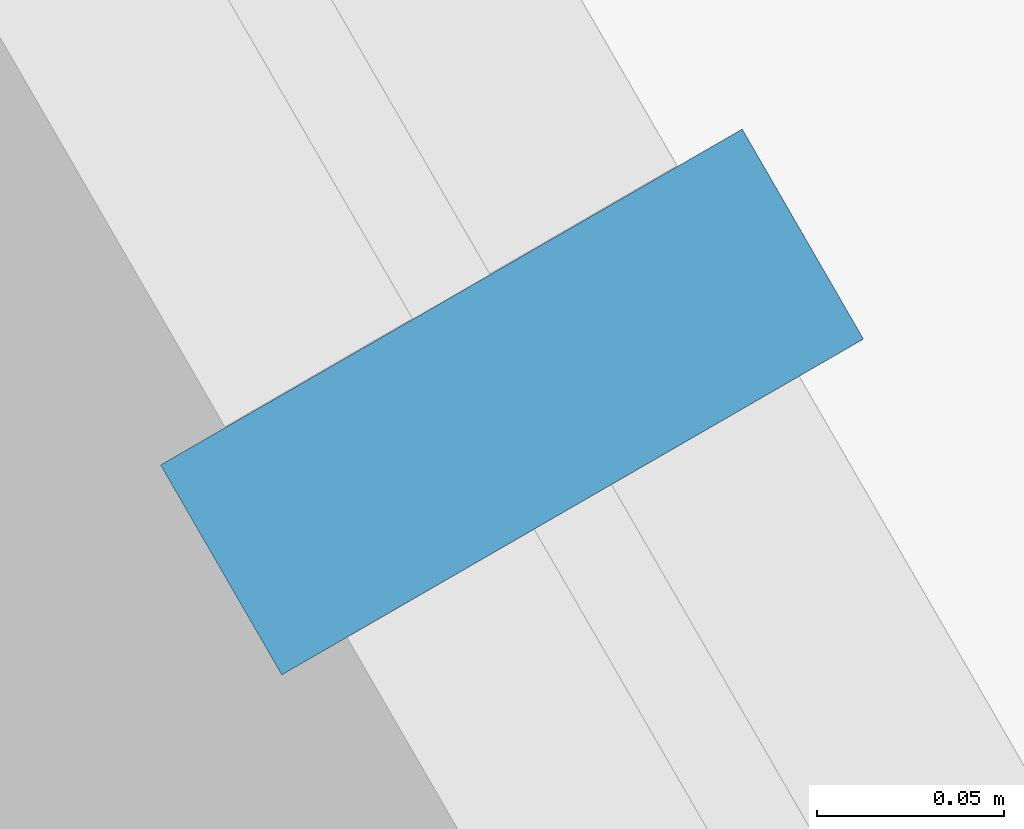
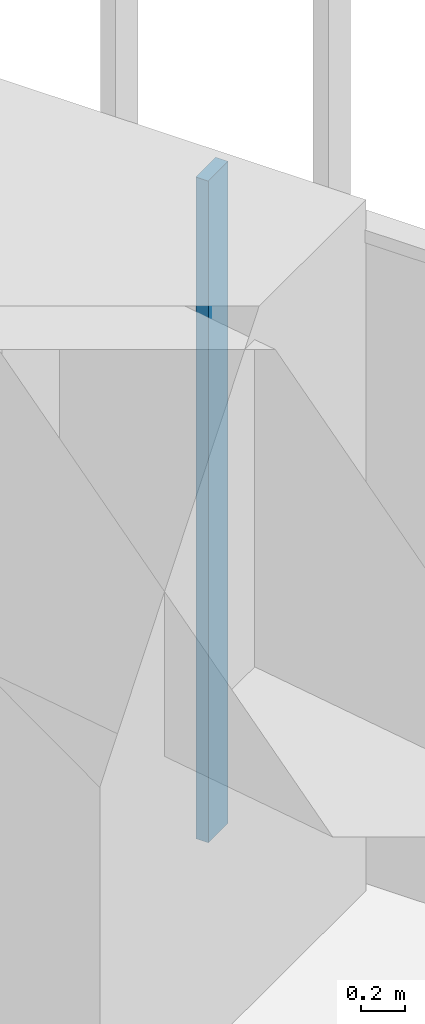
# One storey, part 203 of 256: 1 member, 1 element without a shape of its own.
"""IFC4 building model written with IfcOpenShell, lengths in metres."""

from ifc_helpers import new_model, si_unit, direction, frame, origin, origin_2d, place, context, subcontext, project, spatial, rectangle, extrude, material, material_profile, profile_set, type_object, element, aggregate, save


model = new_model("IFC4")

# Units and contexts
model_context = context("Model", 3, precision=1e-05, world=origin(), true_north=direction((0.0, 1.0)))
body_context = subcontext(model_context, "Body", "Model", "MODEL_VIEW")
ifc_project = project(units=[si_unit("LENGTHUNIT", "METRE"), si_unit("AREAUNIT", "SQUARE_METRE"), si_unit("VOLUMEUNIT", "CUBIC_METRE"), si_unit("PLANEANGLEUNIT", "RADIAN"), si_unit("MASSUNIT", "GRAM", prefix="KILO")], contexts=[model_context])

# Site, building, storey
site_placement = place(None, origin())
site = spatial("IfcSite", under=ifc_project, at=site_placement, CompositionType="ELEMENT")
building_placement = place(site_placement, origin())
building = spatial("IfcBuilding", under=site, at=building_placement, Name="Sandreach Pilgrim Tower", CompositionType="ELEMENT")
storey_placement = place(building_placement, frame((0.0, 0.0, 23.0)))
storey = spatial("IfcBuildingStorey", under=building, at=storey_placement, Name="L04", CompositionType="ELEMENT", Elevation=23.0)

# Curtain wall, member
ifc_material_1 = material(Name="Aluminium framed curtain wall", Category="aluminium")
curtain_wall_type = type_object("IfcCurtainWallType", Name="Hostel tower curtain wall", PredefinedType="NOTDEFINED", material=ifc_material_1)
curtain_wall_placement = place(storey_placement, origin())
curtain_wall = element("IfcCurtainWall", 1, at=curtain_wall_placement, inside=storey, type_object=curtain_wall_type, Name="CW-1 L04 NE", PredefinedType="NOTDEFINED")
ifc_material_2 = material(Name="Aluminium extrusion", Category="aluminium")
ifc_material_profile = material_profile(ifc_material_2, rectangle(XDim=0.06494140625, YDim=0.179931640625, at=origin_2d()), Name="CW-1M 65X180")
ifc_profile_set = profile_set([ifc_material_profile], Name="Aluminium extrusion")
member_type = type_object("IfcMemberType", Name="CW-1 mullion", PredefinedType="MULLION", material=ifc_profile_set)
member_placement = place(storey_placement, frame((28.283203125, 11.03369140625, 0.0), z_axis=(0.0, 0.0, 1.0), x_axis=(0.5, -0.866025403784, 0.0)))
member = element("IfcMember", 2, at=member_placement, type_object=member_type, Name="CW-1 mullion 4", PredefinedType="MULLION", context=body_context, shape_type="SweptSolid", body=[
    extrude(rectangle(XDim=0.06494140625, YDim=0.179931640625, at=origin_2d()), origin(), (0.0, 0.0, 1.0), 3.639892578125),
])
aggregate(curtain_wall, [member])

save(model, "model.ifc")
